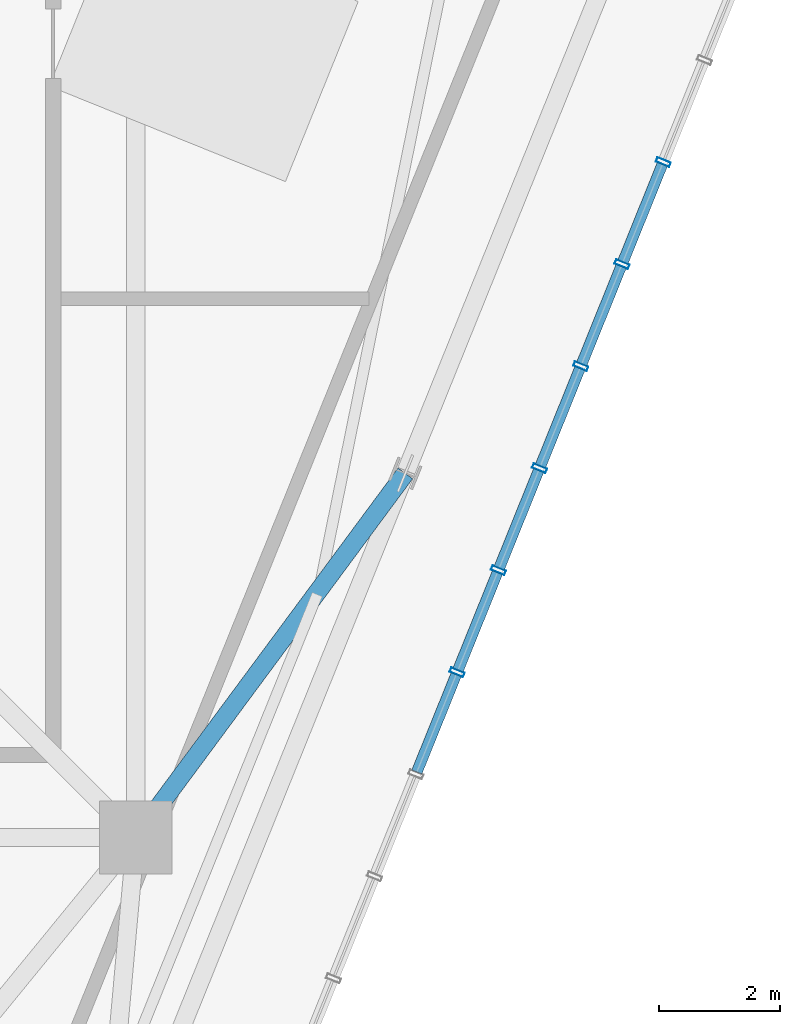
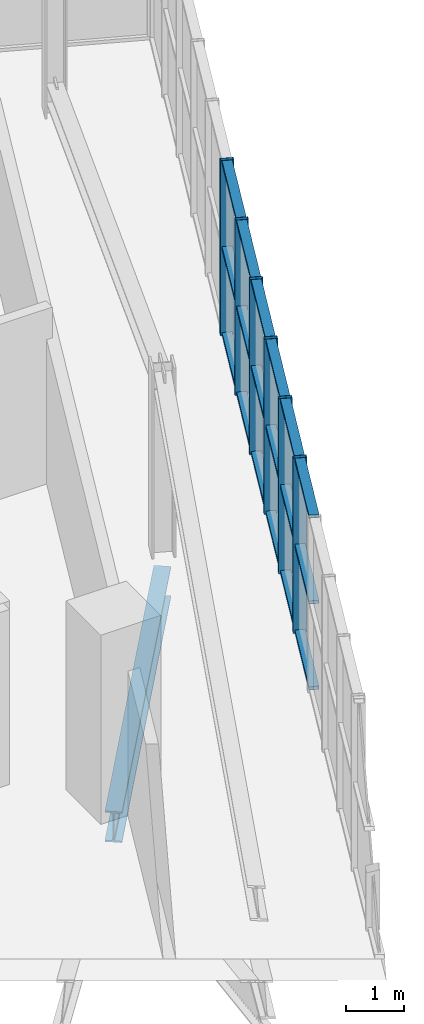
# One storey, part 9 of 26: 24 members, 1 beam, 1 element without a shape of its own.
"""IFC4 building model written with IfcOpenShell, lengths in metres."""

import ifcopenshell
import ifcopenshell.guid

model = None  # the IFC model being written
_history = None  # IfcOwnerHistory: only IFC2X3 demands one
_inside = {}  # id of a spatial element -> (the spatial element, [elements in it])
_under = {}  # id of a project, library or spatial element -> (it, [spatial elements below it])
_declared = {}  # id of a project -> (the project, [libraries it declares])
_typed = {}  # id of a type object -> (the type object, [elements of that type])
_made_of = {}  # id of a material, layer set ... -> (it, [elements and type objects made of it])


def new_model(schema):
    """Start an empty IFC model of exactly this schema.

    Asked for "IFC4X3", IfcOpenShell would pick the latest addendum, in which some entities
    have other attributes; the version numbers below select the first issue.
    IFC2X3 requires an IfcOwnerHistory on every rooted entity: one is made here for all.
    """
    global model, _history
    if schema == "IFC4X3":
        model = ifcopenshell.file(schema_version=(4, 3, 0, 0))
    else:
        model = ifcopenshell.file(schema=schema)
    _inside.clear()
    _under.clear()
    _declared.clear()
    _typed.clear()
    _made_of.clear()
    _history = None
    if model.schema == "IFC2X3":
        org = make("IfcOrganization", Name="unknown")
        user = make(
            "IfcPersonAndOrganization",
            ThePerson=make("IfcPerson", FamilyName="unknown"),
            TheOrganization=org,
        )
        app = make(
            "IfcApplication",
            ApplicationDeveloper=org,
            Version="unknown",
            ApplicationFullName="unknown",
            ApplicationIdentifier="unknown",
        )
        _history = make(
            "IfcOwnerHistory",
            OwningUser=user,
            OwningApplication=app,
            ChangeAction="ADDED",
            CreationDate=0,
        )
    return model


def make(cls, **values):
    """One entity of the class cls with the attributes given. An attribute that is None is left unset."""
    return model.create_entity(
        cls, **{name: value for name, value in values.items() if value is not None}
    )


def rooted(cls, **values):
    """An entity with a GlobalId (a new one), such as an element, a storey or a relation."""
    return make(cls, GlobalId=ifcopenshell.guid.new(), OwnerHistory=_history, **values)


def si_unit(unit_type, name, prefix=None):
    """IfcSIUnit, for example si_unit("LENGTHUNIT", "METRE", prefix="MILLI")."""
    return make("IfcSIUnit", UnitType=unit_type, Prefix=prefix, Name=name)


def assignment(units):
    """IfcUnitAssignment: the units of a project."""
    return None if units is None else make("IfcUnitAssignment", Units=units)


def point(xyz):
    """IfcCartesianPoint."""
    return None if xyz is None else make("IfcCartesianPoint", Coordinates=xyz)


def direction(xyz):
    """IfcDirection."""
    return None if xyz is None else make("IfcDirection", DirectionRatios=xyz)


def frame(location, z_axis=None, x_axis=None):
    """IfcAxis2Placement3D, a coordinate frame: its origin and axes. An axis left out is left unset."""
    return make(
        "IfcAxis2Placement3D",
        Location=point(location),
        Axis=direction(z_axis),
        RefDirection=direction(x_axis),
    )


def frame_2d(location, x_axis=None):
    """IfcAxis2Placement2D, a coordinate frame in the plane: its origin and x axis."""
    return make(
        "IfcAxis2Placement2D", Location=point(location), RefDirection=direction(x_axis)
    )


def origin():
    """The frame at (0, 0, 0) with its axes left unset."""
    return frame((0.0, 0.0, 0.0))


def origin_2d():
    """The frame at (0, 0) in the plane with its x axis left unset."""
    return frame_2d((0.0, 0.0))


def place(relative_to, where):
    """IfcLocalPlacement: puts the frame where relative to a parent placement (None: the world)."""
    return make(
        "IfcLocalPlacement", PlacementRelTo=relative_to, RelativePlacement=where
    )


def context(
    kind, dimensions, precision=None, world=None, true_north=None, identifier=None
):
    """IfcGeometricRepresentationContext, for example the 3D "Model" context."""
    return make(
        "IfcGeometricRepresentationContext",
        ContextIdentifier=identifier,
        ContextType=kind,
        CoordinateSpaceDimension=dimensions,
        Precision=precision,
        WorldCoordinateSystem=world,
        TrueNorth=true_north,
    )


def subcontext(parent, identifier, kind, view, scale=None):
    """IfcGeometricRepresentationSubContext, for example "Body" below "Model"."""
    return make(
        "IfcGeometricRepresentationSubContext",
        ContextIdentifier=identifier,
        ContextType=kind,
        ParentContext=parent,
        TargetScale=scale,
        TargetView=view,
    )


def project(units=None, contexts=None):
    """IfcProject with its units and contexts."""
    return rooted(
        "IfcProject",
        Name="project",
        RepresentationContexts=contexts,
        UnitsInContext=assignment(units),
    )


def spatial(cls, under=None, at=None, **own):
    """A site, building, storey or space (cls), placed at a placement, below another one or the project."""
    s = rooted(cls, ObjectPlacement=at, **own)
    if under is not None:
        _under.setdefault(under.id(), (under, []))[1].append(s)
    return s


def profile(cls, at=None, kind="AREA", **sizes):
    """A parametric profile (cls). Its sizes go by their IFC names, for example OverallWidth=200.0."""
    return make(cls, ProfileType=kind, Position=at, **sizes)


def hollow_rectangle(**sizes):
    """IfcRectangleHollowProfileDef."""
    return profile("IfcRectangleHollowProfileDef", **sizes)


def i_section(**sizes):
    """IfcIShapeProfileDef."""
    return profile("IfcIShapeProfileDef", **sizes)


def extrude(swept, where, along, depth):
    """IfcExtrudedAreaSolid: the profile swept, set in the frame where, extruded along a direction by depth."""
    return make(
        "IfcExtrudedAreaSolid",
        SweptArea=swept,
        Position=where,
        ExtrudedDirection=direction(along),
        Depth=depth,
    )


def shape(context_of_items, identifier, shape_type, items):
    """IfcShapeRepresentation: the items that make up one representation, for example the "Body"."""
    return make(
        "IfcShapeRepresentation",
        ContextOfItems=context_of_items,
        RepresentationIdentifier=identifier,
        RepresentationType=shape_type,
        Items=items,
    )


def source(mapping_origin, context_of_items, identifier, shape_type, items):
    """IfcRepresentationMap: a shape defined once, which mapped items show again and again."""
    return make(
        "IfcRepresentationMap",
        MappingOrigin=mapping_origin,
        MappedRepresentation=shape(context_of_items, identifier, shape_type, items),
    )


def transform(
    local_origin,
    x_axis=None,
    y_axis=None,
    z_axis=None,
    scale=None,
    scale2=None,
    scale3=None,
    uniform=True,
):
    """IfcCartesianTransformationOperator3D, or its non-uniform kind. x_axis, y_axis, z_axis: its Axis1, 2, 3."""
    if uniform:
        return make(
            "IfcCartesianTransformationOperator3D",
            Axis1=direction(x_axis),
            Axis2=direction(y_axis),
            LocalOrigin=point(local_origin),
            Scale=scale,
            Axis3=direction(z_axis),
        )
    return make(
        "IfcCartesianTransformationOperator3DnonUniform",
        Axis1=direction(x_axis),
        Axis2=direction(y_axis),
        LocalOrigin=point(local_origin),
        Scale=scale,
        Axis3=direction(z_axis),
        Scale2=scale2,
        Scale3=scale3,
    )


def mapped(mapping_source, mapping_target):
    """IfcMappedItem: shows the shape of a source again, moved by a transform."""
    return make(
        "IfcMappedItem", MappingSource=mapping_source, MappingTarget=mapping_target
    )


def material(Name=None, Category=None):
    """IfcMaterial."""
    return make("IfcMaterial", Name=Name, Category=Category)


def layer(
    of_material, thickness, ventilated=None, Name=None, Category=None, Priority=None
):
    """IfcMaterialLayer: one layer of a wall or slab, of a material (None: an air gap)."""
    return make(
        "IfcMaterialLayer",
        Material=of_material,
        LayerThickness=thickness,
        IsVentilated=ventilated,
        Name=Name,
        Category=Category,
        Priority=Priority,
    )


def layer_set(layers, Name=None):
    """IfcMaterialLayerSet."""
    return make("IfcMaterialLayerSet", MaterialLayers=layers, LayerSetName=Name)


def material_profile(
    of_material, cross_section, Name=None, Category=None, Priority=None
):
    """IfcMaterialProfile: a cross section and its material."""
    return make(
        "IfcMaterialProfile",
        Name=Name,
        Material=of_material,
        Profile=cross_section,
        Priority=Priority,
        Category=Category,
    )


def profile_set(profiles, Name=None, composite=None):
    """IfcMaterialProfileSet."""
    return make(
        "IfcMaterialProfileSet",
        Name=Name,
        MaterialProfiles=profiles,
        CompositeProfile=composite,
    )


def made_of(thing, what):
    """Note that an element or type object is made of a material, layer set ...; save() writes the relation."""
    if what is not None:
        _made_of.setdefault(what.id(), (what, []))[1].append(thing)
    return thing


def type_object(cls, material=None, **own):
    """A type object (cls), such as IfcWallType, which elements share."""
    return made_of(rooted(cls, **own), material)


def element(
    cls,
    number,
    at=None,
    inside=None,
    cuts=None,
    type_object=None,
    material=None,
    context=None,
    identifier="Body",
    shape_type=None,
    held_by="IfcProductDefinitionShape",
    body=None,
    shapes=None,
    **own,
):
    """One element of the class cls, such as IfcWall. Its Tag is "e" and its number.

    at: its placement. inside: the storey or other place that contains it. cuts: it is an
    opening in that element (IfcRelVoidsElement). A single representation is given by context,
    identifier, shape_type and body (its items); several are given by shapes. held_by: the class
    of the entity that holds the representations. save() writes the other relations.
    """
    e = rooted(cls, Tag="e%d" % number, ObjectPlacement=at, **own)
    if body is not None:
        shapes = [shape(context, identifier, shape_type, body)]
    if shapes is not None:
        e.Representation = make(held_by, Representations=shapes)
    if inside is not None:
        _inside.setdefault(inside.id(), (inside, []))[1].append(e)
    if cuts is not None:
        rooted(
            "IfcRelVoidsElement", RelatingBuildingElement=cuts, RelatedOpeningElement=e
        )
    if type_object is not None:
        _typed.setdefault(type_object.id(), (type_object, []))[1].append(e)
    return made_of(e, material)


def aggregate(whole, parts):
    """IfcRelAggregates: a whole, such as a stair, and the parts it consists of."""
    return rooted("IfcRelAggregates", RelatingObject=whole, RelatedObjects=parts)


def save(model, path):
    """Write the relations noted so far, then the file.

    IfcRelAggregates (storeys below a building ...), IfcRelContainedInSpatialStructure (elements
    in a storey), IfcRelDefinesByType, IfcRelAssociatesMaterial and IfcRelDeclares: one each for
    every whole, place, type object, material and project.
    """
    for whole, parts in _under.values():
        aggregate(whole, parts)
    for where, things in _inside.values():
        rooted(
            "IfcRelContainedInSpatialStructure",
            RelatedElements=things,
            RelatingStructure=where,
        )
    for kind, things in _typed.values():
        rooted("IfcRelDefinesByType", RelatedObjects=things, RelatingType=kind)
    for what, things in _made_of.values():
        rooted("IfcRelAssociatesMaterial", RelatedObjects=things, RelatingMaterial=what)
    for by, libraries in _declared.values():
        rooted("IfcRelDeclares", RelatingContext=by, RelatedDefinitions=libraries)
    model.write(path)


model = new_model("IFC4")

# Units and contexts
model_context = context("Model", 3, precision=1e-05, world=origin(), true_north=direction((0.0, 1.0)))
body_context = subcontext(model_context, "Body", "Model", "MODEL_VIEW")
ifc_project = project(units=[si_unit("LENGTHUNIT", "METRE"), si_unit("AREAUNIT", "SQUARE_METRE"), si_unit("VOLUMEUNIT", "CUBIC_METRE"), si_unit("PLANEANGLEUNIT", "RADIAN"), si_unit("MASSUNIT", "GRAM", prefix="KILO"), si_unit("THERMODYNAMICTEMPERATUREUNIT", "KELVIN")], contexts=[model_context])

# Site, building, storey
site_placement = place(None, origin())
site = spatial("IfcSite", under=ifc_project, at=site_placement, CompositionType="ELEMENT")
building_placement = place(site_placement, origin())
building = spatial("IfcBuilding", under=site, at=building_placement, Name="Kosmvard Interchange Tower", CompositionType="ELEMENT")
storey_placement = place(building_placement, frame((0.0, 0.0, 337.60009765625)))
storey = spatial("IfcBuildingStorey", under=building, at=storey_placement, Name="L83", CompositionType="ELEMENT", Elevation=337.60009765625)

# Beam
ifc_material_1 = material(Name="Steel S355", Category="steel")
ifc_material_profile_1 = material_profile(ifc_material_1, i_section(OverallWidth=0.300048828125, OverallDepth=0.64990234375, WebThickness=0.01611328125, FlangeThickness=0.031005859375, FilletRadius=0.027099609375, at=origin_2d()), Name="HEB 650")
ifc_profile_set_1 = profile_set([ifc_material_profile_1], Name="Steel S355")
beam_type = type_object("IfcBeamType", Name="Primary Floor Girder HEB 650 S355", PredefinedType="BEAM", material=ifc_profile_set_1)
shared_shape_1 = source(origin(), body_context, "Body", "SweptSolid", [
    extrude(i_section(OverallWidth=0.300048828125, OverallDepth=0.64990234375, WebThickness=0.01611328125, FlangeThickness=0.031005859375, FilletRadius=0.027099609375, at=origin_2d()), origin(), (0.0, 0.0, 1.0), 7.466552734375),
])
beam_placement = place(storey_placement, frame((13.0810546875, -13.0810546875, -0.625), z_axis=(0.595007793491, 0.803719929879, 0.0), x_axis=(-0.803719929879, 0.595007793491, 0.0)))
element("IfcBeam", 1, at=beam_placement, inside=storey, type_object=beam_type, Name="BM-L83-RD02", PredefinedType="BEAM", context=body_context, shape_type="MappedRepresentation", body=[
    mapped(shared_shape_1, transform((0.0, 0.0, 0.0), scale=1.0)),
])

# Curtain wall, members
ifc_material_2 = material(Name="Architectural anodised aluminium", Category="aluminium")
ifc_layer = layer(ifc_material_2, 0.25, Name="Architectural anodised aluminium")
ifc_layer_set = layer_set([ifc_layer], Name="Architectural anodised aluminium")
curtain_wall_type = type_object("IfcCurtainWallType", Name="CW-6 Illuminated Crown Lantern Curtain Wall", PredefinedType="NOTDEFINED", material=ifc_layer_set)
curtain_wall_placement = place(storey_placement, origin())
curtain_wall = element("IfcCurtainWall", 2, at=curtain_wall_placement, inside=storey, type_object=curtain_wall_type, Name="L83 Crown Lantern Glazing Face 01", PredefinedType="NOTDEFINED")
ifc_material_profile_2 = material_profile(ifc_material_2, hollow_rectangle(XDim=0.239990234375, YDim=0.080078125, WallThickness=0.006103515625, at=origin_2d()), Name="CWM 240x80x6")
ifc_profile_set_2 = profile_set([ifc_material_profile_2], Name="Architectural anodised aluminium")
member_type_1 = type_object("IfcMemberType", Name="Lantern & Observation CW Mullion 240x80 Aluminium", PredefinedType="MULLION", material=ifc_profile_set_2)
shared_shape_2 = source(origin(), body_context, "Body", "SweptSolid", [
    extrude(hollow_rectangle(XDim=0.239990234375, YDim=0.080078125, WallThickness=0.006103515625, at=origin_2d()), origin(), (0.0, 0.0, 1.0), 3.699951171875),
])
member_1_placement = place(storey_placement, frame((18.377197265625, -10.35986328125, 0.0), z_axis=(0.0, 0.0, 1.0), x_axis=(-0.927183858065, 0.374606584758, 0.0)))
member_1 = element("IfcMember", 3, at=member_1_placement, type_object=member_type_1, Name="CW-6 mullion 8", PredefinedType="MULLION", context=body_context, shape_type="MappedRepresentation", body=[
    mapped(shared_shape_2, transform((0.0, 0.0, 0.0), scale=1.0)),
])
member_2_placement = place(storey_placement, frame((19.056884765625, -8.677734375, 0.0), z_axis=(0.0, 0.0, 1.0), x_axis=(-0.927183858065, 0.374606584758, 0.0)))
member_2 = element("IfcMember", 4, at=member_2_placement, type_object=member_type_1, Name="CW-6 mullion 9", PredefinedType="MULLION", context=body_context, shape_type="MappedRepresentation", body=[
    mapped(shared_shape_2, transform((0.0, 0.0, 0.0), scale=1.0)),
])
member_3_placement = place(storey_placement, frame((19.736572265625, -6.995849609375, 0.0), z_axis=(0.0, 0.0, 1.0), x_axis=(-0.927183858065, 0.374606584758, 0.0)))
member_3 = element("IfcMember", 5, at=member_3_placement, type_object=member_type_1, Name="CW-6 mullion 10", PredefinedType="MULLION", context=body_context, shape_type="MappedRepresentation", body=[
    mapped(shared_shape_2, transform((0.0, 0.0, 0.0), scale=1.0)),
])
member_4_placement = place(storey_placement, frame((20.416015625, -5.313720703125, 0.0), z_axis=(0.0, 0.0, 1.0), x_axis=(-0.927183858065, 0.374606584758, 0.0)))
member_4 = element("IfcMember", 6, at=member_4_placement, type_object=member_type_1, Name="CW-6 mullion 11", PredefinedType="MULLION", context=body_context, shape_type="MappedRepresentation", body=[
    mapped(shared_shape_2, transform((0.0, 0.0, 0.0), scale=1.0)),
])
member_5_placement = place(storey_placement, frame((21.095703125, -3.6318359375, 0.0), z_axis=(0.0, 0.0, 1.0), x_axis=(-0.927183858065, 0.374606584758, 0.0)))
member_5 = element("IfcMember", 7, at=member_5_placement, type_object=member_type_1, Name="CW-6 mullion 12", PredefinedType="MULLION", context=body_context, shape_type="MappedRepresentation", body=[
    mapped(shared_shape_2, transform((0.0, 0.0, 0.0), scale=1.0)),
])
member_6_placement = place(storey_placement, frame((21.775146484375, -1.94970703125, 0.0), z_axis=(0.0, 0.0, 1.0), x_axis=(-0.927183858065, 0.374606584758, 0.0)))
member_6 = element("IfcMember", 8, at=member_6_placement, type_object=member_type_1, Name="CW-6 mullion 13", PredefinedType="MULLION", context=body_context, shape_type="MappedRepresentation", body=[
    mapped(shared_shape_2, transform((0.0, 0.0, 0.0), scale=1.0)),
])
ifc_material_profile_3 = material_profile(ifc_material_2, hollow_rectangle(XDim=0.179931640625, YDim=0.070068359375, WallThickness=0.0048828125, at=origin_2d()), Name="CWT 180x70x5")
ifc_profile_set_3 = profile_set([ifc_material_profile_3], Name="Architectural anodised aluminium")
member_type_2 = type_object("IfcMemberType", Name="Heavy Lantern CW Transom 180x70 Aluminium", PredefinedType="USERDEFINED", material=ifc_profile_set_3)
shared_shape_3 = source(origin(), body_context, "Body", "SweptSolid", [
    extrude(hollow_rectangle(XDim=0.179931640625, YDim=0.070068359375, WallThickness=0.0048828125, at=origin_2d()), origin(), (0.0, 0.0, 1.0), 1.734130859375),
])
member_7_placement = place(storey_placement, frame((18.392333984375, -10.32275390625, 0.034912109375), z_axis=(0.374616671924, 0.927179782522, 0.0), x_axis=(-0.927179782522, 0.374616671924, 0.0)))
member_7 = element("IfcMember", 9, at=member_7_placement, type_object=member_type_2, Name="CW-6 transom 8.1", ObjectType="TRANSOM", PredefinedType="USERDEFINED", context=body_context, shape_type="MappedRepresentation", body=[
    mapped(shared_shape_3, transform((0.0, 0.0, 0.0), scale=1.0)),
])
member_8_placement = place(storey_placement, frame((18.392333984375, -10.32275390625, 1.849853515625), z_axis=(0.374616671924, 0.927179782522, 0.0), x_axis=(-0.927179782522, 0.374616671924, 0.0)))
member_8 = element("IfcMember", 10, at=member_8_placement, type_object=member_type_2, Name="CW-6 transom 8.2", ObjectType="TRANSOM", PredefinedType="USERDEFINED", context=body_context, shape_type="MappedRepresentation", body=[
    mapped(shared_shape_3, transform((0.0, 0.0, 0.0), scale=1.0)),
])
member_9_placement = place(storey_placement, frame((18.392333984375, -10.32275390625, 3.664794921875), z_axis=(0.374616671924, 0.927179782522, 0.0), x_axis=(-0.927179782522, 0.374616671924, 0.0)))
member_9 = element("IfcMember", 11, at=member_9_placement, type_object=member_type_2, Name="CW-6 transom 8.3", ObjectType="TRANSOM", PredefinedType="USERDEFINED", context=body_context, shape_type="MappedRepresentation", body=[
    mapped(shared_shape_3, transform((0.0, 0.0, 0.0), scale=1.0)),
])
member_10_placement = place(storey_placement, frame((19.75146484375, -6.958740234375, 0.034912109375), z_axis=(0.374616671924, 0.927179782522, 0.0), x_axis=(-0.927179782522, 0.374616671924, 0.0)))
member_10 = element("IfcMember", 12, at=member_10_placement, type_object=member_type_2, Name="CW-6 transom 10.1", ObjectType="TRANSOM", PredefinedType="USERDEFINED", context=body_context, shape_type="MappedRepresentation", body=[
    mapped(shared_shape_3, transform((0.0, 0.0, 0.0), scale=1.0)),
])
member_11_placement = place(storey_placement, frame((19.75146484375, -6.958740234375, 1.849853515625), z_axis=(0.374616671924, 0.927179782522, 0.0), x_axis=(-0.927179782522, 0.374616671924, 0.0)))
member_11 = element("IfcMember", 13, at=member_11_placement, type_object=member_type_2, Name="CW-6 transom 10.2", ObjectType="TRANSOM", PredefinedType="USERDEFINED", context=body_context, shape_type="MappedRepresentation", body=[
    mapped(shared_shape_3, transform((0.0, 0.0, 0.0), scale=1.0)),
])
member_12_placement = place(storey_placement, frame((19.75146484375, -6.958740234375, 3.664794921875), z_axis=(0.374616671924, 0.927179782522, 0.0), x_axis=(-0.927179782522, 0.374616671924, 0.0)))
member_12 = element("IfcMember", 14, at=member_12_placement, type_object=member_type_2, Name="CW-6 transom 10.3", ObjectType="TRANSOM", PredefinedType="USERDEFINED", context=body_context, shape_type="MappedRepresentation", body=[
    mapped(shared_shape_3, transform((0.0, 0.0, 0.0), scale=1.0)),
])
member_13_placement = place(storey_placement, frame((20.43115234375, -5.276611328125, 0.034912109375), z_axis=(0.374495638732, 0.927228675447, 0.0), x_axis=(-0.927228675447, 0.374495638732, 0.0)))
member_13 = element("IfcMember", 15, at=member_13_placement, type_object=member_type_2, Name="CW-6 transom 11.1", ObjectType="TRANSOM", PredefinedType="USERDEFINED", context=body_context, shape_type="MappedRepresentation", body=[
    mapped(shared_shape_3, transform((0.0, 0.0, 0.0), scale=1.0)),
])
member_14_placement = place(storey_placement, frame((20.43115234375, -5.276611328125, 1.849853515625), z_axis=(0.374495638732, 0.927228675447, 0.0), x_axis=(-0.927228675447, 0.374495638732, 0.0)))
member_14 = element("IfcMember", 16, at=member_14_placement, type_object=member_type_2, Name="CW-6 transom 11.2", ObjectType="TRANSOM", PredefinedType="USERDEFINED", context=body_context, shape_type="MappedRepresentation", body=[
    mapped(shared_shape_3, transform((0.0, 0.0, 0.0), scale=1.0)),
])
member_15_placement = place(storey_placement, frame((20.43115234375, -5.276611328125, 3.664794921875), z_axis=(0.374495638732, 0.927228675447, 0.0), x_axis=(-0.927228675447, 0.374495638732, 0.0)))
member_15 = element("IfcMember", 17, at=member_15_placement, type_object=member_type_2, Name="CW-6 transom 11.3", ObjectType="TRANSOM", PredefinedType="USERDEFINED", context=body_context, shape_type="MappedRepresentation", body=[
    mapped(shared_shape_3, transform((0.0, 0.0, 0.0), scale=1.0)),
])
member_16_placement = place(storey_placement, frame((21.110595703125, -3.5947265625, 0.034912109375), z_axis=(0.374616671924, 0.927179782522, 0.0), x_axis=(-0.927179782522, 0.374616671924, 0.0)))
member_16 = element("IfcMember", 18, at=member_16_placement, type_object=member_type_2, Name="CW-6 transom 12.1", ObjectType="TRANSOM", PredefinedType="USERDEFINED", context=body_context, shape_type="MappedRepresentation", body=[
    mapped(shared_shape_3, transform((0.0, 0.0, 0.0), scale=1.0)),
])
member_17_placement = place(storey_placement, frame((21.110595703125, -3.5947265625, 1.849853515625), z_axis=(0.374616671924, 0.927179782522, 0.0), x_axis=(-0.927179782522, 0.374616671924, 0.0)))
member_17 = element("IfcMember", 19, at=member_17_placement, type_object=member_type_2, Name="CW-6 transom 12.2", ObjectType="TRANSOM", PredefinedType="USERDEFINED", context=body_context, shape_type="MappedRepresentation", body=[
    mapped(shared_shape_3, transform((0.0, 0.0, 0.0), scale=1.0)),
])
member_18_placement = place(storey_placement, frame((21.110595703125, -3.5947265625, 3.664794921875), z_axis=(0.374616671924, 0.927179782522, 0.0), x_axis=(-0.927179782522, 0.374616671924, 0.0)))
member_18 = element("IfcMember", 20, at=member_18_placement, type_object=member_type_2, Name="CW-6 transom 12.3", ObjectType="TRANSOM", PredefinedType="USERDEFINED", context=body_context, shape_type="MappedRepresentation", body=[
    mapped(shared_shape_3, transform((0.0, 0.0, 0.0), scale=1.0)),
])
shared_shape_4 = source(origin(), body_context, "Body", "SweptSolid", [
    extrude(hollow_rectangle(XDim=0.179931640625, YDim=0.070068359375, WallThickness=0.0048828125, at=origin_2d()), origin(), (0.0, 0.0, 1.0), 1.73388671875),
])
member_19_placement = place(storey_placement, frame((17.712646484375, -12.004638671875, 0.034912109375), z_axis=(0.374665576032, 0.927160021861, 0.0), x_axis=(-0.927160021861, 0.374665576032, 0.0)))
member_19 = element("IfcMember", 21, at=member_19_placement, type_object=member_type_2, Name="CW-6 transom 7.1", ObjectType="TRANSOM", PredefinedType="USERDEFINED", context=body_context, shape_type="MappedRepresentation", body=[
    mapped(shared_shape_4, transform((0.0, 0.0, 0.0), scale=1.0)),
])
member_20_placement = place(storey_placement, frame((17.712646484375, -12.004638671875, 1.849853515625), z_axis=(0.374665576032, 0.927160021861, 0.0), x_axis=(-0.927160021861, 0.374665576032, 0.0)))
member_20 = element("IfcMember", 22, at=member_20_placement, type_object=member_type_2, Name="CW-6 transom 7.2", ObjectType="TRANSOM", PredefinedType="USERDEFINED", context=body_context, shape_type="MappedRepresentation", body=[
    mapped(shared_shape_4, transform((0.0, 0.0, 0.0), scale=1.0)),
])
member_21_placement = place(storey_placement, frame((17.712646484375, -12.004638671875, 3.664794921875), z_axis=(0.374665576032, 0.927160021861, 0.0), x_axis=(-0.927160021861, 0.374665576032, 0.0)))
member_21 = element("IfcMember", 23, at=member_21_placement, type_object=member_type_2, Name="CW-6 transom 7.3", ObjectType="TRANSOM", PredefinedType="USERDEFINED", context=body_context, shape_type="MappedRepresentation", body=[
    mapped(shared_shape_4, transform((0.0, 0.0, 0.0), scale=1.0)),
])
member_22_placement = place(storey_placement, frame((19.07177734375, -8.640625, 0.034912109375), z_axis=(0.374665576032, 0.927160021861, 0.0), x_axis=(-0.927160021861, 0.374665576032, 0.0)))
member_22 = element("IfcMember", 24, at=member_22_placement, type_object=member_type_2, Name="CW-6 transom 9.1", ObjectType="TRANSOM", PredefinedType="USERDEFINED", context=body_context, shape_type="MappedRepresentation", body=[
    mapped(shared_shape_4, transform((0.0, 0.0, 0.0), scale=1.0)),
])
member_23_placement = place(storey_placement, frame((19.07177734375, -8.640625, 1.849853515625), z_axis=(0.374665576032, 0.927160021861, 0.0), x_axis=(-0.927160021861, 0.374665576032, 0.0)))
member_23 = element("IfcMember", 25, at=member_23_placement, type_object=member_type_2, Name="CW-6 transom 9.2", ObjectType="TRANSOM", PredefinedType="USERDEFINED", context=body_context, shape_type="MappedRepresentation", body=[
    mapped(shared_shape_4, transform((0.0, 0.0, 0.0), scale=1.0)),
])
member_24_placement = place(storey_placement, frame((19.07177734375, -8.640625, 3.664794921875), z_axis=(0.374665576032, 0.927160021861, 0.0), x_axis=(-0.927160021861, 0.374665576032, 0.0)))
member_24 = element("IfcMember", 26, at=member_24_placement, type_object=member_type_2, Name="CW-6 transom 9.3", ObjectType="TRANSOM", PredefinedType="USERDEFINED", context=body_context, shape_type="MappedRepresentation", body=[
    mapped(shared_shape_4, transform((0.0, 0.0, 0.0), scale=1.0)),
])
aggregate(curtain_wall, [member_1, member_2, member_3, member_4, member_5, member_6, member_19, member_20, member_21, member_7, member_8, member_9, member_22, member_23, member_24, member_10, member_11, member_12, member_13, member_14, member_15, member_16, member_17, member_18])

save(model, "model.ifc")
